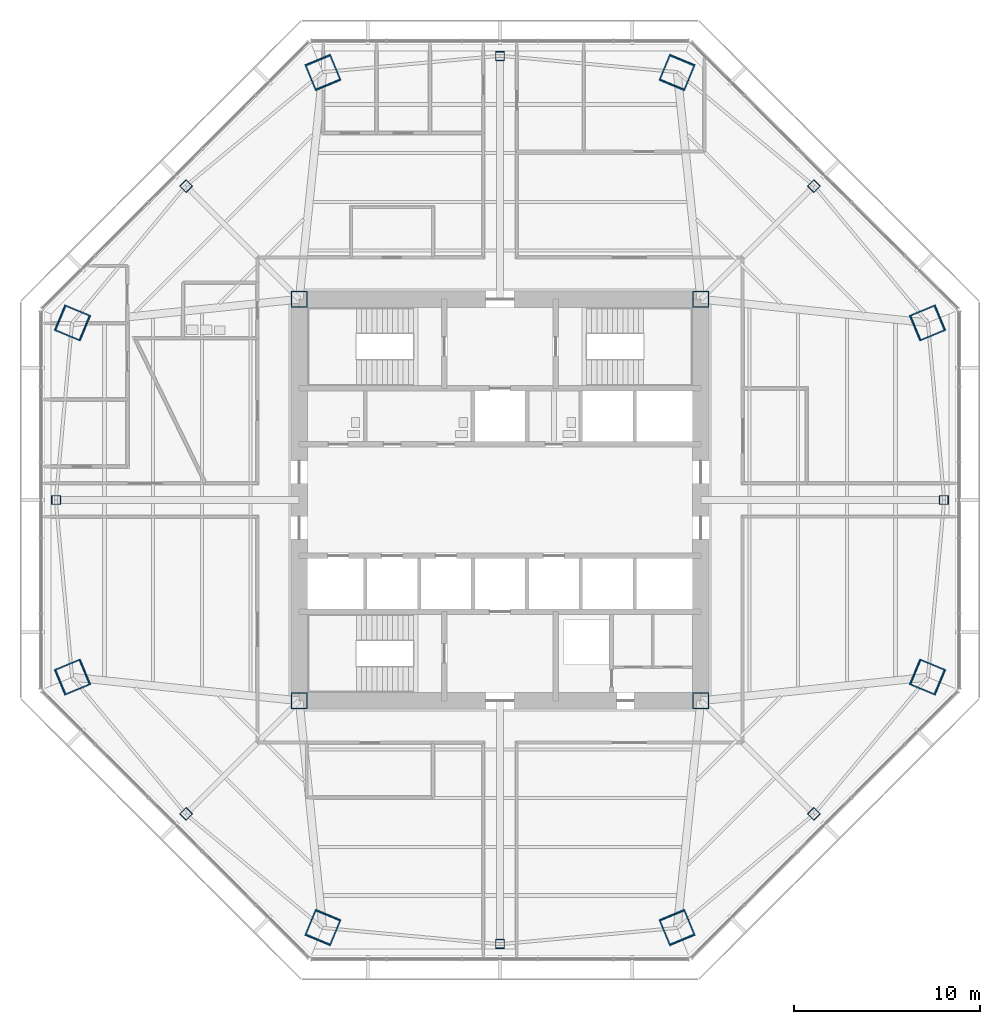
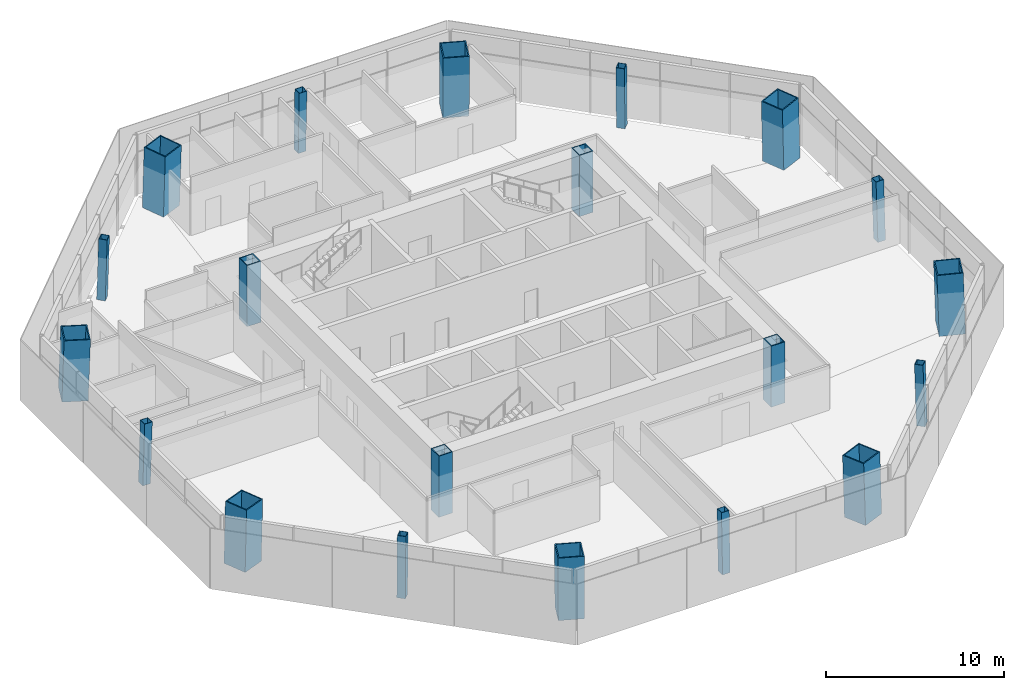
# One storey, part 1 of 14: 20 columns.
"""IFC4 building model written with IfcOpenShell, lengths in metres."""

from ifc_helpers import new_model, si_unit, direction, frame, origin, origin_2d, place, context, subcontext, project, spatial, hollow_rectangle, extrude, material, material_profile, profile_set, type_object, element, save


model = new_model("IFC4")

# Units and contexts
model_context = context("Model", 3, precision=1e-05, world=origin(), true_north=direction((0.0, 1.0)))
body_context = subcontext(model_context, "Body", "Model", "MODEL_VIEW")
ifc_project = project(units=[si_unit("LENGTHUNIT", "METRE"), si_unit("AREAUNIT", "SQUARE_METRE"), si_unit("VOLUMEUNIT", "CUBIC_METRE"), si_unit("PLANEANGLEUNIT", "RADIAN"), si_unit("MASSUNIT", "GRAM", prefix="KILO")], contexts=[model_context])

# Site, building, storey
site_placement = place(None, origin())
site = spatial("IfcSite", under=ifc_project, at=site_placement, CompositionType="ELEMENT")
building_placement = place(site_placement, origin())
building = spatial("IfcBuilding", under=site, at=building_placement, Name="Mashrafa Tower", CompositionType="ELEMENT")
storey_placement = place(building_placement, frame((0.0, 0.0, 117.60009765625)))
storey = spatial("IfcBuildingStorey", under=building, at=storey_placement, Name="L26", CompositionType="ELEMENT", Elevation=117.60009765625)

# Columns
ifc_material_1 = material(Name="Steel ASTM A572 Gr 50", Category="steel")
ifc_material_profile_1 = material_profile(ifc_material_1, hollow_rectangle(XDim=0.89990234375, YDim=0.89990234375, WallThickness=0.06005859375, at=origin_2d()), Name="BOX900X900X60")
ifc_profile_set_1 = profile_set([ifc_material_profile_1], Name="Steel ASTM A572 Gr 50")
column_type_1 = type_object("IfcColumnType", Name="Core corner column BOX900X900X60", PredefinedType="COLUMN", material=ifc_profile_set_1)
for number, where, z_axis, x_axis, name in (
    (1, (10.800048828125, 10.800048828125, 0.0), (0.0, 0.0, 1.0), (1.0, 0.0, 0.0), "Core corner column CC-NE L26"),
    (2, (-10.800048828125, 10.800048828125, 0.0), (0.0, 0.0, 1.0), (1.0, 0.0, 0.0), "Core corner column CC-NW L26"),
    (3, (-10.800048828125, -10.800048828125, 0.0), (0.0, 0.0, 1.0), (1.0, 0.0, 0.0), "Core corner column CC-SW L26"),
    (4, (10.800048828125, -10.800048828125, 0.0), (0.0, 0.0, 1.0), (1.0, 0.0, 0.0), "Core corner column CC-SE L26"),
):
    element("IfcColumn", number, at=place(storey_placement, frame(where, z_axis=z_axis, x_axis=x_axis)), inside=storey, type_object=column_type_1, Name=name, PredefinedType="COLUMN", context=body_context, shape_type="SweptSolid", body=[
        extrude(hollow_rectangle(XDim=0.89990234375, YDim=0.89990234375, WallThickness=0.06005859375, at=origin_2d()), origin(), (0.0, 0.0, 1.0), 4.199951171875),
    ])
ifc_material_2 = material(Name="Steel ASTM A572 Gr 50", Category="steel")
ifc_material_profile_2 = material_profile(ifc_material_2, hollow_rectangle(XDim=1.5, YDim=1.5, WallThickness=0.070068359375, at=origin_2d()), Name="BOX1500X1500X70")
ifc_profile_set_2 = profile_set([ifc_material_profile_2], Name="Steel ASTM A572 Gr 50")
column_type_2 = type_object("IfcColumnType", Name="Mega column CFST BOX1500X1500X70", PredefinedType="COLUMN", material=ifc_profile_set_2)
for number, where, z_axis, x_axis, name in (
    (5, (23.009765625, 9.531005859375, 0.0), (-0.028295730207, -0.011736627314, 0.99953069149), (0.383133442967, -0.923693003589, 0.0), "Mega column MC1 L26"),
    (6, (9.531005859375, 23.009765625, 0.0), (-0.011736627314, -0.028295730207, 0.99953069149), (0.923693003589, -0.383133442967, 0.0), "Mega column MC2 L26"),
    (7, (-9.531005859375, 23.009765625, 0.0), (0.011736627314, -0.028295730207, 0.99953069149), (0.923693003589, 0.383133442967, 0.0), "Mega column MC3 L26"),
    (8, (-23.009765625, 9.531005859375, 0.0), (0.028295730207, -0.011736627314, 0.99953069149), (0.383133442967, 0.923693003589, 0.0), "Mega column MC4 L26"),
    (9, (-23.009765625, -9.531005859375, 0.0), (0.028295730207, 0.011736627314, 0.99953069149), (-0.383133442967, 0.923693003589, 0.0), "Mega column MC5 L26"),
    (10, (-9.531005859375, -23.009765625, 0.0), (0.011736627314, 0.028295730207, 0.99953069149), (-0.923693003589, 0.383133442967, 0.0), "Mega column MC6 L26"),
    (11, (9.531005859375, -23.009765625, 0.0), (-0.011736627314, 0.028295730207, 0.99953069149), (-0.923693003589, -0.383133442967, 0.0), "Mega column MC7 L26"),
    (12, (23.009765625, -9.531005859375, 0.0), (-0.028295730207, 0.011736627314, 0.99953069149), (-0.383133442967, -0.923693003589, 0.0), "Mega column MC8 L26"),
):
    element("IfcColumn", number, at=place(storey_placement, frame(where, z_axis=z_axis, x_axis=x_axis)), inside=storey, type_object=column_type_2, Name=name, PredefinedType="COLUMN", context=body_context, shape_type="SweptSolid", body=[
        extrude(hollow_rectangle(XDim=1.5, YDim=1.5, WallThickness=0.070068359375, at=origin_2d()), origin(), (0.0, 0.0, 1.0), 4.201904296875),
    ])
ifc_material_3 = material(Name="Steel ASTM A572 Gr 50", Category="steel")
ifc_material_profile_3 = material_profile(ifc_material_3, hollow_rectangle(XDim=0.5, YDim=0.5, WallThickness=0.02490234375, at=origin_2d()), Name="BOX500X500X25")
ifc_profile_set_3 = profile_set([ifc_material_profile_3], Name="Steel ASTM A572 Gr 50")
column_type_3 = type_object("IfcColumnType", Name="Secondary column BOX500X500X25", PredefinedType="COLUMN", material=ifc_profile_set_3)
for number, where, z_axis, x_axis, name in (
    (13, (23.887939453125, 0.0, 0.0), (-0.028297679255, 0.0, 0.99959954049), (0.0, -1.0, 0.0), "Secondary column SC1 L26"),
    (14, (16.891357421875, 16.891357421875, 0.0), (-0.019988521213, -0.019988521213, 0.999600379171), (0.707106781187, -0.707106781187, 0.0), "Secondary column SC2 L26"),
    (15, (0.0, 23.887939453125, 0.0), (0.0, -0.028297679255, 0.99959954049), (1.0, 0.0, 0.0), "Secondary column SC3 L26"),
    (16, (-16.891357421875, 16.891357421875, 0.0), (0.019988521213, -0.019988521213, 0.999600379171), (0.707106781187, 0.707106781187, 0.0), "Secondary column SC4 L26"),
    (17, (-23.887939453125, 0.0, 0.0), (0.028297679255, 0.0, 0.99959954049), (0.0, 1.0, 0.0), "Secondary column SC5 L26"),
    (18, (-16.891357421875, -16.891357421875, 0.0), (0.019988521213, 0.019988521213, 0.999600379171), (-0.707106781187, 0.707106781187, 0.0), "Secondary column SC6 L26"),
    (19, (0.0, -23.887939453125, 0.0), (0.0, 0.028297679255, 0.99959954049), (-1.0, 0.0, 0.0), "Secondary column SC7 L26"),
    (20, (16.891357421875, -16.891357421875, 0.0), (-0.019988521213, 0.019988521213, 0.999600379171), (-0.707106781187, -0.707106781187, 0.0), "Secondary column SC8 L26"),
):
    element("IfcColumn", number, at=place(storey_placement, frame(where, z_axis=z_axis, x_axis=x_axis)), inside=storey, type_object=column_type_3, Name=name, PredefinedType="COLUMN", context=body_context, shape_type="SweptSolid", body=[
        extrude(hollow_rectangle(XDim=0.5, YDim=0.5, WallThickness=0.02490234375, at=origin_2d()), origin(), (0.0, 0.0, 1.0), 4.20166015625),
    ])

save(model, "model.ifc")
